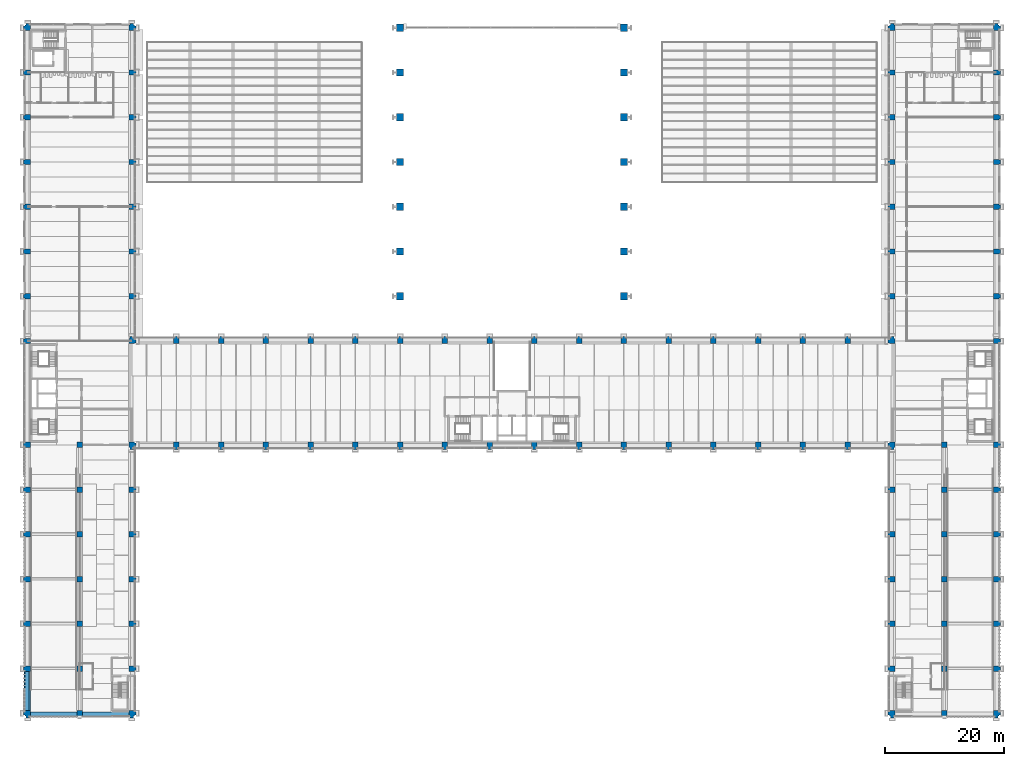
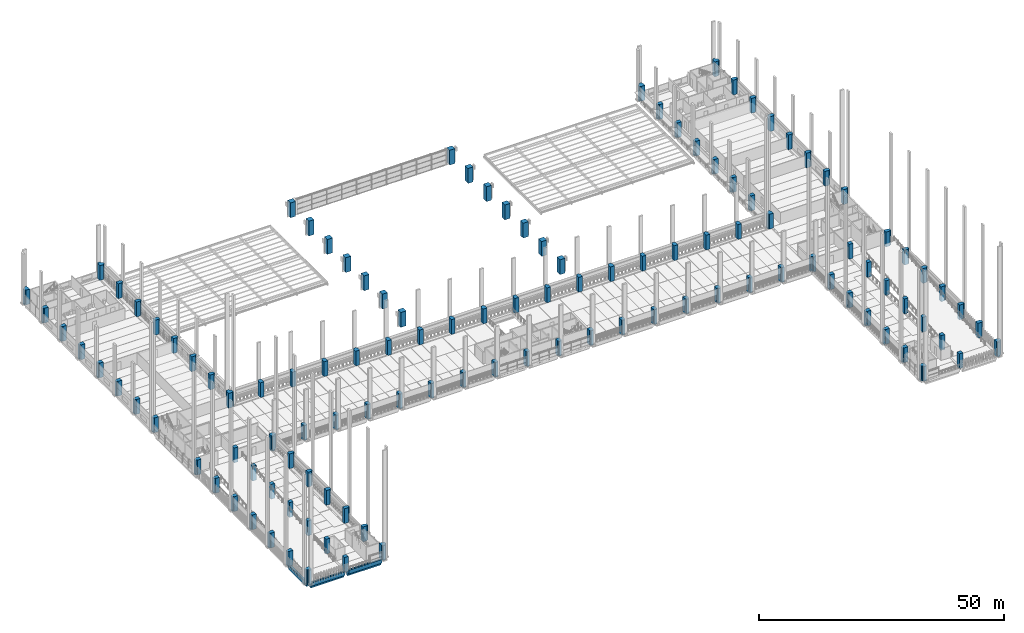
# One storey, part 1 of 67: 120 columns, 3 beams.
"""IFC4 building model written with IfcOpenShell, lengths in metres."""

from ifc_helpers import new_model, si_unit, direction, frame, origin, origin_2d, place, context, subcontext, project, spatial, polyline, rectangle, outline, extrude, material, material_profile, profile_set, type_object, element, save


model = new_model("IFC4")

# Units and contexts
model_context = context("Model", 3, precision=1e-05, world=origin(), true_north=direction((0.0, 1.0)))
body_context = subcontext(model_context, "Body", "Model", "MODEL_VIEW")
ifc_project = project(units=[si_unit("LENGTHUNIT", "METRE"), si_unit("AREAUNIT", "SQUARE_METRE"), si_unit("VOLUMEUNIT", "CUBIC_METRE"), si_unit("PLANEANGLEUNIT", "RADIAN"), si_unit("MASSUNIT", "GRAM", prefix="KILO")], contexts=[model_context])

# Site, building, storey
site_placement = place(None, origin())
site = spatial("IfcSite", under=ifc_project, at=site_placement, CompositionType="ELEMENT")
building_placement = place(site_placement, origin())
building = spatial("IfcBuilding", under=site, at=building_placement, Name="Cour d'Honneur Mobility Palace", CompositionType="ELEMENT")
storey_placement = place(building_placement, frame((0.0, 0.0, 4.5)))
storey = spatial("IfcBuildingStorey", under=building, at=storey_placement, Name="L01", CompositionType="ELEMENT", Elevation=4.5)

# Columns
ifc_material_1 = material(Name="Concrete C50", Category="concrete")
ifc_material_profile_1 = material_profile(ifc_material_1, rectangle(XDim=1.199951171875, YDim=1.199951171875, at=origin_2d()), Name="Hall pier 1200x1200")
ifc_profile_set_1 = profile_set([ifc_material_profile_1], Name="Concrete C50")
column_type_1 = type_object("IfcColumnType", Name="Hall pier 1200x1200", PredefinedType="COLUMN", material=ifc_profile_set_1)
for number, where, z_axis, x_axis, name in (
    (1, (62.39990234375, 69.89990234375, 0.0), (0.0, 0.0, 1.0), (1.0, 0.0, 0.0), "Hall pier HP-W2"),
    (2, (99.89990234375, 69.89990234375, 0.0), (0.0, 0.0, 1.0), (1.0, 0.0, 0.0), "Hall pier HP-E2"),
    (3, (62.39990234375, 77.39990234375, 0.0), (0.0, 0.0, 1.0), (1.0, 0.0, 0.0), "Hall pier HP-W3"),
    (4, (99.89990234375, 77.39990234375, 0.0), (0.0, 0.0, 1.0), (1.0, 0.0, 0.0), "Hall pier HP-E3"),
    (5, (62.39990234375, 84.89990234375, 0.0), (0.0, 0.0, 1.0), (1.0, 0.0, 0.0), "Hall pier HP-W4"),
    (6, (99.89990234375, 84.89990234375, 0.0), (0.0, 0.0, 1.0), (1.0, 0.0, 0.0), "Hall pier HP-E4"),
    (7, (62.39990234375, 92.39990234375, 0.0), (0.0, 0.0, 1.0), (1.0, 0.0, 0.0), "Hall pier HP-W5"),
    (8, (99.89990234375, 92.39990234375, 0.0), (0.0, 0.0, 1.0), (1.0, 0.0, 0.0), "Hall pier HP-E5"),
    (9, (62.39990234375, 99.89990234375, 0.0), (0.0, 0.0, 1.0), (1.0, 0.0, 0.0), "Hall pier HP-W6"),
    (10, (99.89990234375, 99.89990234375, 0.0), (0.0, 0.0, 1.0), (1.0, 0.0, 0.0), "Hall pier HP-E6"),
    (11, (62.39990234375, 107.39990234375, 0.0), (0.0, 0.0, 1.0), (1.0, 0.0, 0.0), "Hall pier HP-W7"),
    (12, (99.89990234375, 107.39990234375, 0.0), (0.0, 0.0, 1.0), (1.0, 0.0, 0.0), "Hall pier HP-E7"),
    (13, (62.39990234375, 114.89990234375, 0.0), (0.0, 0.0, 1.0), (1.0, 0.0, 0.0), "Hall pier HP-W8"),
    (14, (99.89990234375, 114.89990234375, 0.0), (0.0, 0.0, 1.0), (1.0, 0.0, 0.0), "Hall pier HP-E8"),
):
    element("IfcColumn", number, at=place(storey_placement, frame(where, z_axis=z_axis, x_axis=x_axis)), inside=storey, type_object=column_type_1, Name=name, PredefinedType="COLUMN", context=body_context, shape_type="SweptSolid", body=[
        extrude(rectangle(XDim=1.199951171875, YDim=1.199951171875, at=origin_2d()), origin(), (0.0, 0.0, 1.0), 3.699951171875),
    ])
ifc_material_2 = material(Name="Concrete C50", Category="concrete")
ifc_material_profile_2 = material_profile(ifc_material_2, outline(polyline([(-0.449951171875, -0.449951171875), (0.449951171875, -0.449951171875), (0.449951171875, -0.300048828125), (0.75, -0.300048828125), (0.75, 0.300048828125), (0.449951171875, 0.300048828125), (0.449951171875, 0.449951171875), (0.300048828125, 0.449951171875), (0.300048828125, 0.75), (-0.300048828125, 0.75), (-0.300048828125, 0.449951171875), (-0.449951171875, 0.449951171875), (-0.449951171875, -0.449951171875)])), Name="PC C900 corner")
ifc_profile_set_2 = profile_set([ifc_material_profile_2], Name="Concrete C50")
column_type_2 = type_object("IfcColumnType", Name="Precast Column 900 corner", PredefinedType="COLUMN", material=ifc_profile_set_2)
for number, where, z_axis, x_axis, name in (
    (15, (0.0, 0.0, 0.0), (0.0, 0.0, 1.0), (-1.0, 0.0, 0.0), "Precast column C1 1/A L01"),
    (16, (17.39990234375, 0.0, 0.0), (0.0, 0.0, 1.0), (0.0, -1.0, 0.0), "Precast column C1 2/A L01"),
    (17, (144.89990234375, 0.0, 0.0), (0.0, 0.0, 1.0), (-1.0, 0.0, 0.0), "Precast column C1 19/A L01"),
    (18, (162.300048828125, 0.0, 0.0), (0.0, 0.0, 1.0), (0.0, -1.0, 0.0), "Precast column C1 20/A L01"),
    (19, (17.39990234375, 45.0, 0.0), (0.0, 0.0, 1.0), (0.0, -1.0, 0.0), "Precast column C1 2/G L01"),
    (20, (144.89990234375, 45.0, 0.0), (0.0, 0.0, 1.0), (-1.0, 0.0, 0.0), "Precast column C1 19/G L01"),
    (21, (17.39990234375, 62.39990234375, 0.0), (0.0, 0.0, 1.0), (1.0, 0.0, 0.0), "Precast column C1 2/H L01"),
    (22, (144.89990234375, 62.39990234375, 0.0), (0.0, 0.0, 1.0), (0.0, 1.0, 0.0), "Precast column C1 19/H L01"),
    (23, (0.0, 114.89990234375, 0.0), (0.0, 0.0, 1.0), (0.0, 1.0, 0.0), "Precast column C1 1/Q L01"),
    (24, (17.39990234375, 114.89990234375, 0.0), (0.0, 0.0, 1.0), (1.0, 0.0, 0.0), "Precast column C1 2/Q L01"),
    (25, (144.89990234375, 114.89990234375, 0.0), (0.0, 0.0, 1.0), (0.0, 1.0, 0.0), "Precast column C1 19/Q L01"),
    (26, (162.300048828125, 114.89990234375, 0.0), (0.0, 0.0, 1.0), (1.0, 0.0, 0.0), "Precast column C1 20/Q L01"),
):
    element("IfcColumn", number, at=place(storey_placement, frame(where, z_axis=z_axis, x_axis=x_axis)), inside=storey, type_object=column_type_2, Name=name, PredefinedType="COLUMN", context=body_context, shape_type="SweptSolid", body=[
        extrude(outline(polyline([(-0.449951171875, -0.449951171875), (0.449951171875, -0.449951171875), (0.449951171875, -0.300048828125), (0.75, -0.300048828125), (0.75, 0.300048828125), (0.449951171875, 0.300048828125), (0.449951171875, 0.449951171875), (0.300048828125, 0.449951171875), (0.300048828125, 0.75), (-0.300048828125, 0.75), (-0.300048828125, 0.449951171875), (-0.449951171875, 0.449951171875), (-0.449951171875, -0.449951171875)])), origin(), (0.0, 0.0, 1.0), 3.699951171875),
    ])
ifc_material_3 = material(Name="Concrete C50", Category="concrete")
ifc_material_profile_3 = material_profile(ifc_material_3, outline(polyline([(-0.449951171875, -0.449951171875), (0.449951171875, -0.449951171875), (0.449951171875, -0.300048828125), (0.75, -0.300048828125), (0.75, 0.300048828125), (0.449951171875, 0.300048828125), (0.449951171875, 0.449951171875), (-0.449951171875, 0.449951171875), (-0.449951171875, -0.449951171875)])), Name="PC C900 pilaster")
ifc_profile_set_3 = profile_set([ifc_material_profile_3], Name="Concrete C50")
column_type_3 = type_object("IfcColumnType", Name="Precast Column 900 pilaster", PredefinedType="COLUMN", material=ifc_profile_set_3)
for number, where, z_axis, x_axis, name in (
    (27, (0.0, 7.5, 0.0), (0.0, 0.0, 1.0), (-1.0, 0.0, 0.0), "Precast column C3 1/B L01"),
    (28, (17.39990234375, 7.5, 0.0), (0.0, 0.0, 1.0), (1.0, 0.0, 0.0), "Precast column C3 2/B L01"),
    (29, (144.89990234375, 7.5, 0.0), (0.0, 0.0, 1.0), (-1.0, 0.0, 0.0), "Precast column C3 19/B L01"),
    (30, (162.300048828125, 7.5, 0.0), (0.0, 0.0, 1.0), (1.0, 0.0, 0.0), "Precast column C3 20/B L01"),
    (31, (0.0, 15.0, 0.0), (0.0, 0.0, 1.0), (-1.0, 0.0, 0.0), "Precast column C3 1/C L01"),
    (32, (17.39990234375, 15.0, 0.0), (0.0, 0.0, 1.0), (1.0, 0.0, 0.0), "Precast column C3 2/C L01"),
    (33, (144.89990234375, 15.0, 0.0), (0.0, 0.0, 1.0), (-1.0, 0.0, 0.0), "Precast column C3 19/C L01"),
    (34, (162.300048828125, 15.0, 0.0), (0.0, 0.0, 1.0), (1.0, 0.0, 0.0), "Precast column C3 20/C L01"),
    (35, (0.0, 22.5, 0.0), (0.0, 0.0, 1.0), (-1.0, 0.0, 0.0), "Precast column C3 1/D L01"),
    (36, (17.39990234375, 22.5, 0.0), (0.0, 0.0, 1.0), (1.0, 0.0, 0.0), "Precast column C3 2/D L01"),
    (37, (144.89990234375, 22.5, 0.0), (0.0, 0.0, 1.0), (-1.0, 0.0, 0.0), "Precast column C3 19/D L01"),
    (38, (162.300048828125, 22.5, 0.0), (0.0, 0.0, 1.0), (1.0, 0.0, 0.0), "Precast column C3 20/D L01"),
    (39, (0.0, 30.0, 0.0), (0.0, 0.0, 1.0), (-1.0, 0.0, 0.0), "Precast column C3 1/E L01"),
    (40, (17.39990234375, 30.0, 0.0), (0.0, 0.0, 1.0), (1.0, 0.0, 0.0), "Precast column C3 2/E L01"),
    (41, (144.89990234375, 30.0, 0.0), (0.0, 0.0, 1.0), (-1.0, 0.0, 0.0), "Precast column C3 19/E L01"),
    (42, (162.300048828125, 30.0, 0.0), (0.0, 0.0, 1.0), (1.0, 0.0, 0.0), "Precast column C3 20/E L01"),
    (43, (0.0, 37.5, 0.0), (0.0, 0.0, 1.0), (-1.0, 0.0, 0.0), "Precast column C3 1/F L01"),
    (44, (17.39990234375, 37.5, 0.0), (0.0, 0.0, 1.0), (1.0, 0.0, 0.0), "Precast column C3 2/F L01"),
    (45, (144.89990234375, 37.5, 0.0), (0.0, 0.0, 1.0), (-1.0, 0.0, 0.0), "Precast column C3 19/F L01"),
    (46, (162.300048828125, 37.5, 0.0), (0.0, 0.0, 1.0), (1.0, 0.0, 0.0), "Precast column C3 20/F L01"),
    (47, (0.0, 45.0, 0.0), (0.0, 0.0, 1.0), (-1.0, 0.0, 0.0), "Precast column C3 1/G L01"),
    (48, (24.89990234375, 45.0, 0.0), (0.0, 0.0, 1.0), (0.0, -1.0, 0.0), "Precast column C3 3/G L01"),
    (49, (32.39990234375, 45.0, 0.0), (0.0, 0.0, 1.0), (0.0, -1.0, 0.0), "Precast column C3 4/G L01"),
    (50, (39.89990234375, 45.0, 0.0), (0.0, 0.0, 1.0), (0.0, -1.0, 0.0), "Precast column C3 5/G L01"),
    (51, (47.39990234375, 45.0, 0.0), (0.0, 0.0, 1.0), (0.0, -1.0, 0.0), "Precast column C3 6/G L01"),
    (52, (54.89990234375, 45.0, 0.0), (0.0, 0.0, 1.0), (0.0, -1.0, 0.0), "Precast column C3 7/G L01"),
    (53, (62.39990234375, 45.0, 0.0), (0.0, 0.0, 1.0), (0.0, -1.0, 0.0), "Precast column C3 8/G L01"),
    (54, (69.89990234375, 45.0, 0.0), (0.0, 0.0, 1.0), (0.0, -1.0, 0.0), "Precast column C3 9/G L01"),
    (55, (77.39990234375, 45.0, 0.0), (0.0, 0.0, 1.0), (0.0, -1.0, 0.0), "Precast column C3 10/G L01"),
    (56, (84.89990234375, 45.0, 0.0), (0.0, 0.0, 1.0), (0.0, -1.0, 0.0), "Precast column C3 11/G L01"),
    (57, (92.39990234375, 45.0, 0.0), (0.0, 0.0, 1.0), (0.0, -1.0, 0.0), "Precast column C3 12/G L01"),
    (58, (99.89990234375, 45.0, 0.0), (0.0, 0.0, 1.0), (0.0, -1.0, 0.0), "Precast column C3 13/G L01"),
    (59, (107.39990234375, 45.0, 0.0), (0.0, 0.0, 1.0), (0.0, -1.0, 0.0), "Precast column C3 14/G L01"),
    (60, (114.89990234375, 45.0, 0.0), (0.0, 0.0, 1.0), (0.0, -1.0, 0.0), "Precast column C3 15/G L01"),
    (61, (122.39990234375, 45.0, 0.0), (0.0, 0.0, 1.0), (0.0, -1.0, 0.0), "Precast column C3 16/G L01"),
    (62, (129.89990234375, 45.0, 0.0), (0.0, 0.0, 1.0), (0.0, -1.0, 0.0), "Precast column C3 17/G L01"),
    (63, (137.39990234375, 45.0, 0.0), (0.0, 0.0, 1.0), (0.0, -1.0, 0.0), "Precast column C3 18/G L01"),
    (64, (162.300048828125, 45.0, 0.0), (0.0, 0.0, 1.0), (1.0, 0.0, 0.0), "Precast column C3 20/G L01"),
    (65, (0.0, 62.39990234375, 0.0), (0.0, 0.0, 1.0), (-1.0, 0.0, 0.0), "Precast column C3 1/H L01"),
    (66, (24.89990234375, 62.39990234375, 0.0), (0.0, 0.0, 1.0), (0.0, 1.0, 0.0), "Precast column C3 3/H L01"),
    (67, (32.39990234375, 62.39990234375, 0.0), (0.0, 0.0, 1.0), (0.0, 1.0, 0.0), "Precast column C3 4/H L01"),
    (68, (39.89990234375, 62.39990234375, 0.0), (0.0, 0.0, 1.0), (0.0, 1.0, 0.0), "Precast column C3 5/H L01"),
    (69, (47.39990234375, 62.39990234375, 0.0), (0.0, 0.0, 1.0), (0.0, 1.0, 0.0), "Precast column C3 6/H L01"),
    (70, (54.89990234375, 62.39990234375, 0.0), (0.0, 0.0, 1.0), (0.0, 1.0, 0.0), "Precast column C3 7/H L01"),
    (71, (62.39990234375, 62.39990234375, 0.0), (0.0, 0.0, 1.0), (0.0, 1.0, 0.0), "Precast column C3 8/H L01"),
    (72, (69.89990234375, 62.39990234375, 0.0), (0.0, 0.0, 1.0), (0.0, 1.0, 0.0), "Precast column C3 9/H L01"),
    (73, (77.39990234375, 62.39990234375, 0.0), (0.0, 0.0, 1.0), (0.0, 1.0, 0.0), "Precast column C3 10/H L01"),
    (74, (84.89990234375, 62.39990234375, 0.0), (0.0, 0.0, 1.0), (0.0, 1.0, 0.0), "Precast column C3 11/H L01"),
    (75, (92.39990234375, 62.39990234375, 0.0), (0.0, 0.0, 1.0), (0.0, 1.0, 0.0), "Precast column C3 12/H L01"),
    (76, (99.89990234375, 62.39990234375, 0.0), (0.0, 0.0, 1.0), (0.0, 1.0, 0.0), "Precast column C3 13/H L01"),
    (77, (107.39990234375, 62.39990234375, 0.0), (0.0, 0.0, 1.0), (0.0, 1.0, 0.0), "Precast column C3 14/H L01"),
    (78, (114.89990234375, 62.39990234375, 0.0), (0.0, 0.0, 1.0), (0.0, 1.0, 0.0), "Precast column C3 15/H L01"),
    (79, (122.39990234375, 62.39990234375, 0.0), (0.0, 0.0, 1.0), (0.0, 1.0, 0.0), "Precast column C3 16/H L01"),
    (80, (129.89990234375, 62.39990234375, 0.0), (0.0, 0.0, 1.0), (0.0, 1.0, 0.0), "Precast column C3 17/H L01"),
    (81, (137.39990234375, 62.39990234375, 0.0), (0.0, 0.0, 1.0), (0.0, 1.0, 0.0), "Precast column C3 18/H L01"),
    (82, (162.300048828125, 62.39990234375, 0.0), (0.0, 0.0, 1.0), (1.0, 0.0, 0.0), "Precast column C3 20/H L01"),
    (83, (0.0, 69.89990234375, 0.0), (0.0, 0.0, 1.0), (-1.0, 0.0, 0.0), "Precast column C3 1/J L01"),
    (84, (17.39990234375, 69.89990234375, 0.0), (0.0, 0.0, 1.0), (1.0, 0.0, 0.0), "Precast column C3 2/J L01"),
    (85, (144.89990234375, 69.89990234375, 0.0), (0.0, 0.0, 1.0), (-1.0, 0.0, 0.0), "Precast column C3 19/J L01"),
    (86, (162.300048828125, 69.89990234375, 0.0), (0.0, 0.0, 1.0), (1.0, 0.0, 0.0), "Precast column C3 20/J L01"),
    (87, (0.0, 77.39990234375, 0.0), (0.0, 0.0, 1.0), (-1.0, 0.0, 0.0), "Precast column C3 1/K L01"),
    (88, (17.39990234375, 77.39990234375, 0.0), (0.0, 0.0, 1.0), (1.0, 0.0, 0.0), "Precast column C3 2/K L01"),
    (89, (144.89990234375, 77.39990234375, 0.0), (0.0, 0.0, 1.0), (-1.0, 0.0, 0.0), "Precast column C3 19/K L01"),
    (90, (162.300048828125, 77.39990234375, 0.0), (0.0, 0.0, 1.0), (1.0, 0.0, 0.0), "Precast column C3 20/K L01"),
    (91, (0.0, 84.89990234375, 0.0), (0.0, 0.0, 1.0), (-1.0, 0.0, 0.0), "Precast column C3 1/L L01"),
    (92, (17.39990234375, 84.89990234375, 0.0), (0.0, 0.0, 1.0), (1.0, 0.0, 0.0), "Precast column C3 2/L L01"),
    (93, (144.89990234375, 84.89990234375, 0.0), (0.0, 0.0, 1.0), (-1.0, 0.0, 0.0), "Precast column C3 19/L L01"),
    (94, (162.300048828125, 84.89990234375, 0.0), (0.0, 0.0, 1.0), (1.0, 0.0, 0.0), "Precast column C3 20/L L01"),
    (95, (0.0, 92.39990234375, 0.0), (0.0, 0.0, 1.0), (-1.0, 0.0, 0.0), "Precast column C3 1/M L01"),
    (96, (17.39990234375, 92.39990234375, 0.0), (0.0, 0.0, 1.0), (1.0, 0.0, 0.0), "Precast column C3 2/M L01"),
    (97, (144.89990234375, 92.39990234375, 0.0), (0.0, 0.0, 1.0), (-1.0, 0.0, 0.0), "Precast column C3 19/M L01"),
    (98, (162.300048828125, 92.39990234375, 0.0), (0.0, 0.0, 1.0), (1.0, 0.0, 0.0), "Precast column C3 20/M L01"),
    (99, (0.0, 99.89990234375, 0.0), (0.0, 0.0, 1.0), (-1.0, 0.0, 0.0), "Precast column C3 1/N L01"),
    (100, (17.39990234375, 99.89990234375, 0.0), (0.0, 0.0, 1.0), (1.0, 0.0, 0.0), "Precast column C3 2/N L01"),
    (101, (144.89990234375, 99.89990234375, 0.0), (0.0, 0.0, 1.0), (-1.0, 0.0, 0.0), "Precast column C3 19/N L01"),
    (102, (162.300048828125, 99.89990234375, 0.0), (0.0, 0.0, 1.0), (1.0, 0.0, 0.0), "Precast column C3 20/N L01"),
    (103, (0.0, 107.39990234375, 0.0), (0.0, 0.0, 1.0), (-1.0, 0.0, 0.0), "Precast column C3 1/P L01"),
    (104, (17.39990234375, 107.39990234375, 0.0), (0.0, 0.0, 1.0), (1.0, 0.0, 0.0), "Precast column C3 2/P L01"),
    (105, (144.89990234375, 107.39990234375, 0.0), (0.0, 0.0, 1.0), (-1.0, 0.0, 0.0), "Precast column C3 19/P L01"),
    (106, (162.300048828125, 107.39990234375, 0.0), (0.0, 0.0, 1.0), (1.0, 0.0, 0.0), "Precast column C3 20/P L01"),
):
    element("IfcColumn", number, at=place(storey_placement, frame(where, z_axis=z_axis, x_axis=x_axis)), inside=storey, type_object=column_type_3, Name=name, PredefinedType="COLUMN", context=body_context, shape_type="SweptSolid", body=[
        extrude(outline(polyline([(-0.449951171875, -0.449951171875), (0.449951171875, -0.449951171875), (0.449951171875, -0.300048828125), (0.75, -0.300048828125), (0.75, 0.300048828125), (0.449951171875, 0.300048828125), (0.449951171875, 0.449951171875), (-0.449951171875, 0.449951171875), (-0.449951171875, -0.449951171875)])), origin(), (0.0, 0.0, 1.0), 3.699951171875),
    ])
ifc_material_4 = material(Name="Concrete C50", Category="concrete")
ifc_material_profile_4 = material_profile(ifc_material_4, outline(polyline([(-0.449951171875, -0.449951171875), (0.449951171875, -0.449951171875), (0.449951171875, 0.449951171875), (-0.449951171875, 0.449951171875), (-0.449951171875, -0.449951171875)])), Name="PC C900 plain")
ifc_profile_set_4 = profile_set([ifc_material_profile_4], Name="Concrete C50")
column_type_4 = type_object("IfcColumnType", Name="Precast Column 900 plain", PredefinedType="COLUMN", material=ifc_profile_set_4)
for number, where, z_axis, x_axis, name in (
    (107, (8.699951171875, 0.0, 0.0), (0.0, 0.0, 1.0), (1.0, 0.0, 0.0), "Precast column C2 1A/A L01"),
    (108, (153.60009765625, 0.0, 0.0), (0.0, 0.0, 1.0), (1.0, 0.0, 0.0), "Precast column C2 19A/A L01"),
    (109, (8.699951171875, 7.5, 0.0), (0.0, 0.0, 1.0), (1.0, 0.0, 0.0), "Precast column C2 1A/B L01"),
    (110, (153.60009765625, 7.5, 0.0), (0.0, 0.0, 1.0), (1.0, 0.0, 0.0), "Precast column C2 19A/B L01"),
    (111, (8.699951171875, 15.0, 0.0), (0.0, 0.0, 1.0), (1.0, 0.0, 0.0), "Precast column C2 1A/C L01"),
    (112, (153.60009765625, 15.0, 0.0), (0.0, 0.0, 1.0), (1.0, 0.0, 0.0), "Precast column C2 19A/C L01"),
    (113, (8.699951171875, 22.5, 0.0), (0.0, 0.0, 1.0), (1.0, 0.0, 0.0), "Precast column C2 1A/D L01"),
    (114, (153.60009765625, 22.5, 0.0), (0.0, 0.0, 1.0), (1.0, 0.0, 0.0), "Precast column C2 19A/D L01"),
    (115, (8.699951171875, 30.0, 0.0), (0.0, 0.0, 1.0), (1.0, 0.0, 0.0), "Precast column C2 1A/E L01"),
    (116, (153.60009765625, 30.0, 0.0), (0.0, 0.0, 1.0), (1.0, 0.0, 0.0), "Precast column C2 19A/E L01"),
    (117, (8.699951171875, 37.5, 0.0), (0.0, 0.0, 1.0), (1.0, 0.0, 0.0), "Precast column C2 1A/F L01"),
    (118, (153.60009765625, 37.5, 0.0), (0.0, 0.0, 1.0), (1.0, 0.0, 0.0), "Precast column C2 19A/F L01"),
    (119, (8.699951171875, 45.0, 0.0), (0.0, 0.0, 1.0), (1.0, 0.0, 0.0), "Precast column C2 1A/G L01"),
    (120, (153.60009765625, 45.0, 0.0), (0.0, 0.0, 1.0), (1.0, 0.0, 0.0), "Precast column C2 19A/G L01"),
):
    element("IfcColumn", number, at=place(storey_placement, frame(where, z_axis=z_axis, x_axis=x_axis)), inside=storey, type_object=column_type_4, Name=name, PredefinedType="COLUMN", context=body_context, shape_type="SweptSolid", body=[
        extrude(outline(polyline([(-0.449951171875, -0.449951171875), (0.449951171875, -0.449951171875), (0.449951171875, 0.449951171875), (-0.449951171875, 0.449951171875), (-0.449951171875, -0.449951171875)])), origin(), (0.0, 0.0, 1.0), 3.699951171875),
    ])

# Beams
ifc_material_5 = material(Name="Concrete C45", Category="concrete")
ifc_material_profile_5 = material_profile(ifc_material_5, outline(polyline([(0.22509765625, -1.300048828125), (0.22509765625, 0.0), (-0.22509765625, 0.0), (-0.449951171875, 0.0), (-0.449951171875, 0.300048828125), (-0.64990234375, 0.300048828125), (-0.64990234375, -0.60009765625), (-0.22509765625, -0.60009765625), (-0.22509765625, -1.300048828125), (0.22509765625, -1.300048828125)])), Name="Edge Spandrel Beam 450x1300 no ledge facade right")
ifc_profile_set_5 = profile_set([ifc_material_profile_5], Name="Concrete C45")
beam_type_1 = type_object("IfcBeamType", Name="Edge Spandrel Beam 450x1300 no ledge facade right", PredefinedType="SPANDREL", material=ifc_profile_set_5)
for number, where, z_axis, x_axis, name in (
    (121, (0.449951171875, 0.0, 0.0), (1.0, 0.0, 0.0), (0.0, 1.0, 0.0), "Precast beam B1 1-1A L01"),
    (122, (9.14990234375, 0.0, 0.0), (1.0, 0.0, 0.0), (0.0, 1.0, 0.0), "Precast beam B1 1A-2 L01"),
):
    element("IfcBeam", number, at=place(storey_placement, frame(where, z_axis=z_axis, x_axis=x_axis)), inside=storey, type_object=beam_type_1, Name=name, PredefinedType="SPANDREL", context=body_context, shape_type="SweptSolid", body=[
        extrude(outline(polyline([(0.22509765625, -1.300048828125), (0.22509765625, 0.0), (-0.22509765625, 0.0), (-0.449951171875, 0.0), (-0.449951171875, 0.300048828125), (-0.64990234375, 0.300048828125), (-0.64990234375, -0.60009765625), (-0.22509765625, -0.60009765625), (-0.22509765625, -1.300048828125), (0.22509765625, -1.300048828125)])), origin(), (0.0, 0.0, 1.0), 7.800048828125),
    ])
ifc_material_6 = material(Name="Concrete C45", Category="concrete")
ifc_material_profile_6 = material_profile(ifc_material_6, outline(polyline([(0.199951171875, -1.10009765625), (0.199951171875, -0.60009765625), (0.64990234375, -0.60009765625), (0.64990234375, 0.300048828125), (0.449951171875, 0.300048828125), (0.449951171875, 0.0), (0.199951171875, 0.0), (-0.199951171875, 0.0), (-0.199951171875, -0.800048828125), (-0.5, -0.800048828125), (-0.5, -1.10009765625), (0.199951171875, -1.10009765625)])), Name="Ledger Beam 400x1100 ledge right 300 facade left")
ifc_profile_set_6 = profile_set([ifc_material_profile_6], Name="Concrete C45")
beam_type_2 = type_object("IfcBeamType", Name="Ledger Beam 400x1100 ledge right 300 facade left", PredefinedType="BEAM", material=ifc_profile_set_6)
beam_placement = place(storey_placement, frame((0.0, 0.449951171875, 0.0), z_axis=(0.0, 1.0, 0.0), x_axis=(-1.0, 0.0, 0.0)))
element("IfcBeam", 123, at=beam_placement, inside=storey, type_object=beam_type_2, Name="Precast beam B6 A-B L01", PredefinedType="BEAM", context=body_context, shape_type="SweptSolid", body=[
    extrude(outline(polyline([(0.199951171875, -1.10009765625), (0.199951171875, -0.60009765625), (0.64990234375, -0.60009765625), (0.64990234375, 0.300048828125), (0.449951171875, 0.300048828125), (0.449951171875, 0.0), (0.199951171875, 0.0), (-0.199951171875, 0.0), (-0.199951171875, -0.800048828125), (-0.5, -0.800048828125), (-0.5, -1.10009765625), (0.199951171875, -1.10009765625)])), origin(), (0.0, 0.0, 1.0), 6.60009765625),
])

save(model, "model.ifc")
